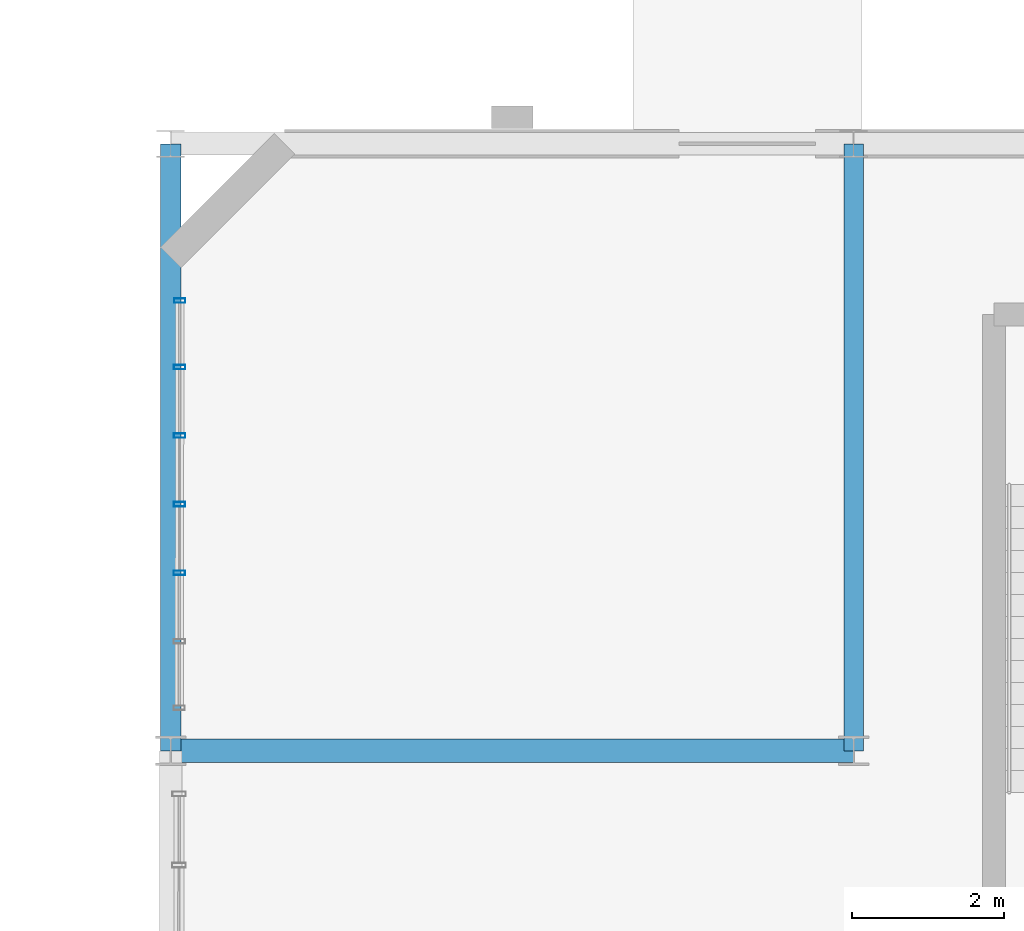
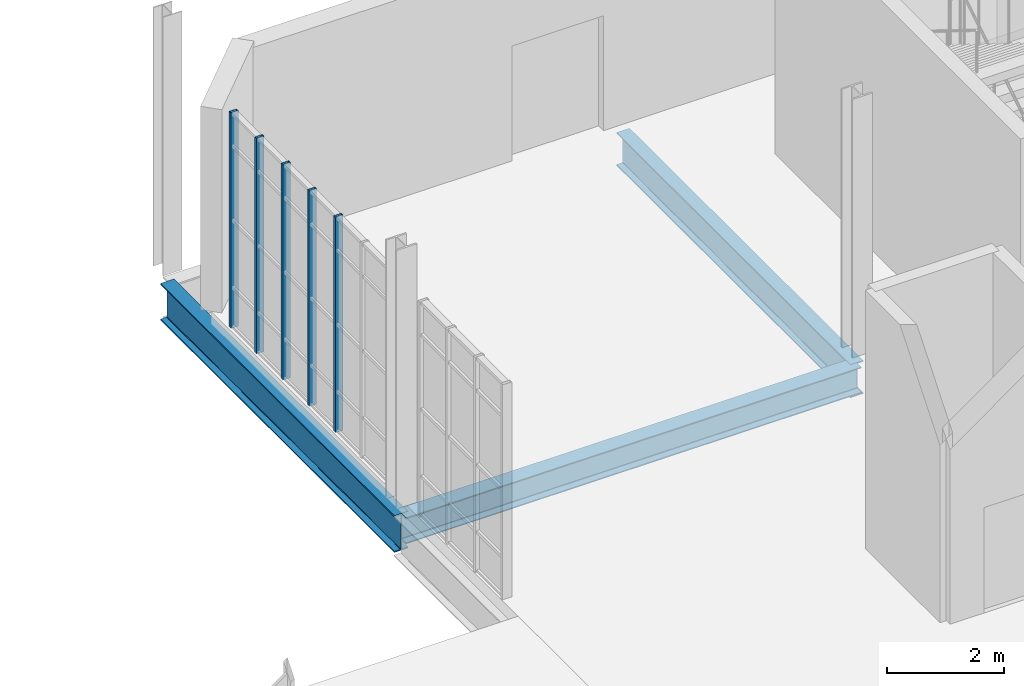
# One storey, part 89 of 189: 5 members, 3 beams, 1 element without a shape of its own.
"""IFC4 building model written with IfcOpenShell, lengths in metres."""

import ifcopenshell
import ifcopenshell.guid

model = None  # the IFC model being written
_history = None  # IfcOwnerHistory: only IFC2X3 demands one
_inside = {}  # id of a spatial element -> (the spatial element, [elements in it])
_under = {}  # id of a project, library or spatial element -> (it, [spatial elements below it])
_declared = {}  # id of a project -> (the project, [libraries it declares])
_typed = {}  # id of a type object -> (the type object, [elements of that type])
_made_of = {}  # id of a material, layer set ... -> (it, [elements and type objects made of it])


def new_model(schema):
    """Start an empty IFC model of exactly this schema.

    Asked for "IFC4X3", IfcOpenShell would pick the latest addendum, in which some entities
    have other attributes; the version numbers below select the first issue.
    IFC2X3 requires an IfcOwnerHistory on every rooted entity: one is made here for all.
    """
    global model, _history
    if schema == "IFC4X3":
        model = ifcopenshell.file(schema_version=(4, 3, 0, 0))
    else:
        model = ifcopenshell.file(schema=schema)
    _inside.clear()
    _under.clear()
    _declared.clear()
    _typed.clear()
    _made_of.clear()
    _history = None
    if model.schema == "IFC2X3":
        org = make("IfcOrganization", Name="unknown")
        user = make(
            "IfcPersonAndOrganization",
            ThePerson=make("IfcPerson", FamilyName="unknown"),
            TheOrganization=org,
        )
        app = make(
            "IfcApplication",
            ApplicationDeveloper=org,
            Version="unknown",
            ApplicationFullName="unknown",
            ApplicationIdentifier="unknown",
        )
        _history = make(
            "IfcOwnerHistory",
            OwningUser=user,
            OwningApplication=app,
            ChangeAction="ADDED",
            CreationDate=0,
        )
    return model


def make(cls, **values):
    """One entity of the class cls with the attributes given. An attribute that is None is left unset."""
    return model.create_entity(
        cls, **{name: value for name, value in values.items() if value is not None}
    )


def rooted(cls, **values):
    """An entity with a GlobalId (a new one), such as an element, a storey or a relation."""
    return make(cls, GlobalId=ifcopenshell.guid.new(), OwnerHistory=_history, **values)


def si_unit(unit_type, name, prefix=None):
    """IfcSIUnit, for example si_unit("LENGTHUNIT", "METRE", prefix="MILLI")."""
    return make("IfcSIUnit", UnitType=unit_type, Prefix=prefix, Name=name)


def assignment(units):
    """IfcUnitAssignment: the units of a project."""
    return None if units is None else make("IfcUnitAssignment", Units=units)


def point(xyz):
    """IfcCartesianPoint."""
    return None if xyz is None else make("IfcCartesianPoint", Coordinates=xyz)


def direction(xyz):
    """IfcDirection."""
    return None if xyz is None else make("IfcDirection", DirectionRatios=xyz)


def frame(location, z_axis=None, x_axis=None):
    """IfcAxis2Placement3D, a coordinate frame: its origin and axes. An axis left out is left unset."""
    return make(
        "IfcAxis2Placement3D",
        Location=point(location),
        Axis=direction(z_axis),
        RefDirection=direction(x_axis),
    )


def frame_2d(location, x_axis=None):
    """IfcAxis2Placement2D, a coordinate frame in the plane: its origin and x axis."""
    return make(
        "IfcAxis2Placement2D", Location=point(location), RefDirection=direction(x_axis)
    )


def origin():
    """The frame at (0, 0, 0) with its axes left unset."""
    return frame((0.0, 0.0, 0.0))


def origin_2d():
    """The frame at (0, 0) in the plane with its x axis left unset."""
    return frame_2d((0.0, 0.0))


def place(relative_to, where):
    """IfcLocalPlacement: puts the frame where relative to a parent placement (None: the world)."""
    return make(
        "IfcLocalPlacement", PlacementRelTo=relative_to, RelativePlacement=where
    )


def context(
    kind, dimensions, precision=None, world=None, true_north=None, identifier=None
):
    """IfcGeometricRepresentationContext, for example the 3D "Model" context."""
    return make(
        "IfcGeometricRepresentationContext",
        ContextIdentifier=identifier,
        ContextType=kind,
        CoordinateSpaceDimension=dimensions,
        Precision=precision,
        WorldCoordinateSystem=world,
        TrueNorth=true_north,
    )


def subcontext(parent, identifier, kind, view, scale=None):
    """IfcGeometricRepresentationSubContext, for example "Body" below "Model"."""
    return make(
        "IfcGeometricRepresentationSubContext",
        ContextIdentifier=identifier,
        ContextType=kind,
        ParentContext=parent,
        TargetScale=scale,
        TargetView=view,
    )


def project(units=None, contexts=None):
    """IfcProject with its units and contexts."""
    return rooted(
        "IfcProject",
        Name="project",
        RepresentationContexts=contexts,
        UnitsInContext=assignment(units),
    )


def spatial(cls, under=None, at=None, **own):
    """A site, building, storey or space (cls), placed at a placement, below another one or the project."""
    s = rooted(cls, ObjectPlacement=at, **own)
    if under is not None:
        _under.setdefault(under.id(), (under, []))[1].append(s)
    return s


def profile(cls, at=None, kind="AREA", **sizes):
    """A parametric profile (cls). Its sizes go by their IFC names, for example OverallWidth=200.0."""
    return make(cls, ProfileType=kind, Position=at, **sizes)


def hollow_rectangle(**sizes):
    """IfcRectangleHollowProfileDef."""
    return profile("IfcRectangleHollowProfileDef", **sizes)


def i_section(**sizes):
    """IfcIShapeProfileDef."""
    return profile("IfcIShapeProfileDef", **sizes)


def extrude(swept, where, along, depth):
    """IfcExtrudedAreaSolid: the profile swept, set in the frame where, extruded along a direction by depth."""
    return make(
        "IfcExtrudedAreaSolid",
        SweptArea=swept,
        Position=where,
        ExtrudedDirection=direction(along),
        Depth=depth,
    )


def shape(context_of_items, identifier, shape_type, items):
    """IfcShapeRepresentation: the items that make up one representation, for example the "Body"."""
    return make(
        "IfcShapeRepresentation",
        ContextOfItems=context_of_items,
        RepresentationIdentifier=identifier,
        RepresentationType=shape_type,
        Items=items,
    )


def material(Name=None, Category=None):
    """IfcMaterial."""
    return make("IfcMaterial", Name=Name, Category=Category)


def layer(
    of_material, thickness, ventilated=None, Name=None, Category=None, Priority=None
):
    """IfcMaterialLayer: one layer of a wall or slab, of a material (None: an air gap)."""
    return make(
        "IfcMaterialLayer",
        Material=of_material,
        LayerThickness=thickness,
        IsVentilated=ventilated,
        Name=Name,
        Category=Category,
        Priority=Priority,
    )


def layer_set(layers, Name=None):
    """IfcMaterialLayerSet."""
    return make("IfcMaterialLayerSet", MaterialLayers=layers, LayerSetName=Name)


def material_profile(
    of_material, cross_section, Name=None, Category=None, Priority=None
):
    """IfcMaterialProfile: a cross section and its material."""
    return make(
        "IfcMaterialProfile",
        Name=Name,
        Material=of_material,
        Profile=cross_section,
        Priority=Priority,
        Category=Category,
    )


def profile_set(profiles, Name=None, composite=None):
    """IfcMaterialProfileSet."""
    return make(
        "IfcMaterialProfileSet",
        Name=Name,
        MaterialProfiles=profiles,
        CompositeProfile=composite,
    )


def made_of(thing, what):
    """Note that an element or type object is made of a material, layer set ...; save() writes the relation."""
    if what is not None:
        _made_of.setdefault(what.id(), (what, []))[1].append(thing)
    return thing


def type_object(cls, material=None, **own):
    """A type object (cls), such as IfcWallType, which elements share."""
    return made_of(rooted(cls, **own), material)


def element(
    cls,
    number,
    at=None,
    inside=None,
    cuts=None,
    type_object=None,
    material=None,
    context=None,
    identifier="Body",
    shape_type=None,
    held_by="IfcProductDefinitionShape",
    body=None,
    shapes=None,
    **own,
):
    """One element of the class cls, such as IfcWall. Its Tag is "e" and its number.

    at: its placement. inside: the storey or other place that contains it. cuts: it is an
    opening in that element (IfcRelVoidsElement). A single representation is given by context,
    identifier, shape_type and body (its items); several are given by shapes. held_by: the class
    of the entity that holds the representations. save() writes the other relations.
    """
    e = rooted(cls, Tag="e%d" % number, ObjectPlacement=at, **own)
    if body is not None:
        shapes = [shape(context, identifier, shape_type, body)]
    if shapes is not None:
        e.Representation = make(held_by, Representations=shapes)
    if inside is not None:
        _inside.setdefault(inside.id(), (inside, []))[1].append(e)
    if cuts is not None:
        rooted(
            "IfcRelVoidsElement", RelatingBuildingElement=cuts, RelatedOpeningElement=e
        )
    if type_object is not None:
        _typed.setdefault(type_object.id(), (type_object, []))[1].append(e)
    return made_of(e, material)


def aggregate(whole, parts):
    """IfcRelAggregates: a whole, such as a stair, and the parts it consists of."""
    return rooted("IfcRelAggregates", RelatingObject=whole, RelatedObjects=parts)


def save(model, path):
    """Write the relations noted so far, then the file.

    IfcRelAggregates (storeys below a building ...), IfcRelContainedInSpatialStructure (elements
    in a storey), IfcRelDefinesByType, IfcRelAssociatesMaterial and IfcRelDeclares: one each for
    every whole, place, type object, material and project.
    """
    for whole, parts in _under.values():
        aggregate(whole, parts)
    for where, things in _inside.values():
        rooted(
            "IfcRelContainedInSpatialStructure",
            RelatedElements=things,
            RelatingStructure=where,
        )
    for kind, things in _typed.values():
        rooted("IfcRelDefinesByType", RelatedObjects=things, RelatingType=kind)
    for what, things in _made_of.values():
        rooted("IfcRelAssociatesMaterial", RelatedObjects=things, RelatingMaterial=what)
    for by, libraries in _declared.values():
        rooted("IfcRelDeclares", RelatingContext=by, RelatedDefinitions=libraries)
    model.write(path)


model = new_model("IFC4")

# Units and contexts
model_context = context("Model", 3, precision=1e-05, world=origin(), true_north=direction((0.0, 1.0)))
body_context = subcontext(model_context, "Body", "Model", "MODEL_VIEW")
ifc_project = project(units=[si_unit("LENGTHUNIT", "METRE"), si_unit("AREAUNIT", "SQUARE_METRE"), si_unit("VOLUMEUNIT", "CUBIC_METRE"), si_unit("PLANEANGLEUNIT", "RADIAN"), si_unit("MASSUNIT", "GRAM", prefix="KILO"), si_unit("THERMODYNAMICTEMPERATUREUNIT", "KELVIN"), si_unit("POWERUNIT", "WATT")], contexts=[model_context])

# Site, building, storey
site_placement = place(None, origin())
site = spatial("IfcSite", under=ifc_project, at=site_placement, CompositionType="ELEMENT")
building_placement = place(site_placement, origin())
building = spatial("IfcBuilding", under=site, at=building_placement, Name="Zelmaris Science Centre", CompositionType="ELEMENT")
storey_placement = place(building_placement, origin())
storey = spatial("IfcBuildingStorey", under=building, at=storey_placement, Name="L00", CompositionType="ELEMENT", Elevation=0.0)

# Curtain wall, members
ifc_material_1 = material(Name="Anodised architectural aluminium 6063-T6", Category="aluminium")
ifc_layer = layer(ifc_material_1, 0.219970703125, Name="Anodised architectural aluminium 6063-T6")
ifc_layer_set = layer_set([ifc_layer], Name="Anodised architectural aluminium 6063-T6")
curtain_wall_type = type_object("IfcCurtainWallType", Name="Curtain Wall CW-04", PredefinedType="USERDEFINED", material=ifc_layer_set)
curtain_wall_placement = place(storey_placement, origin())
curtain_wall = element("IfcCurtainWall", 1, at=curtain_wall_placement, inside=storey, type_object=curtain_wall_type, Name="L00 Unitised curtain wall 28", ObjectType="GLAZED CURTAIN WALL", PredefinedType="USERDEFINED")
ifc_material_profile_1 = material_profile(ifc_material_1, hollow_rectangle(XDim=0.06005859375, YDim=0.14990234375, WallThickness=0.00341796875, at=origin_2d()), Name="ALU-MUL-60X150")
ifc_profile_set_1 = profile_set([ifc_material_profile_1], Name="Anodised architectural aluminium 6063-T6")
member_type = type_object("IfcMemberType", Name="ALU-MUL-60X150", PredefinedType="MULLION", material=ifc_profile_set_1)
member_1_placement = place(storey_placement, frame((54.11474609375, 82.346435546875, -0.014892578125), z_axis=(0.0, 0.0, 1.0), x_axis=(0.001307251237, 0.999999145547, 0.0)))
member_1 = element("IfcMember", 2, at=member_1_placement, type_object=member_type, Name="CW-04 mullion 3", PredefinedType="MULLION", context=body_context, shape_type="SweptSolid", body=[
    extrude(hollow_rectangle(XDim=0.06005859375, YDim=0.14990234375, WallThickness=0.00341796875, at=origin_2d()), origin(), (0.0, 0.0, 1.0), 4.5009765625),
])
member_2_placement = place(storey_placement, frame((54.115966796875, 83.249755859375, -0.014892578125), z_axis=(0.0, 0.0, 1.0), x_axis=(0.001307251237, 0.999999145547, 0.0)))
member_2 = element("IfcMember", 3, at=member_2_placement, type_object=member_type, Name="CW-04 mullion 4", PredefinedType="MULLION", context=body_context, shape_type="SweptSolid", body=[
    extrude(hollow_rectangle(XDim=0.06005859375, YDim=0.14990234375, WallThickness=0.00341796875, at=origin_2d()), origin(), (0.0, 0.0, 1.0), 4.5009765625),
])
member_3_placement = place(storey_placement, frame((54.116943359375, 84.153076171875, -0.014892578125), z_axis=(0.0, 0.0, 1.0), x_axis=(0.001307251237, 0.999999145547, 0.0)))
member_3 = element("IfcMember", 4, at=member_3_placement, type_object=member_type, Name="CW-04 mullion 5", PredefinedType="MULLION", context=body_context, shape_type="SweptSolid", body=[
    extrude(hollow_rectangle(XDim=0.06005859375, YDim=0.14990234375, WallThickness=0.00341796875, at=origin_2d()), origin(), (0.0, 0.0, 1.0), 4.5009765625),
])
member_4_placement = place(storey_placement, frame((54.1181640625, 85.056396484375, -0.014892578125), z_axis=(0.0, 0.0, 1.0), x_axis=(0.001307251237, 0.999999145547, 0.0)))
member_4 = element("IfcMember", 5, at=member_4_placement, type_object=member_type, Name="CW-04 mullion 6", PredefinedType="MULLION", context=body_context, shape_type="SweptSolid", body=[
    extrude(hollow_rectangle(XDim=0.06005859375, YDim=0.14990234375, WallThickness=0.00341796875, at=origin_2d()), origin(), (0.0, 0.0, 1.0), 4.5009765625),
])
member_5_placement = place(storey_placement, frame((54.119384765625, 85.933837890625, -0.014892578125), z_axis=(0.0, 0.0, 1.0), x_axis=(0.001307251237, 0.999999145547, 0.0)))
member_5 = element("IfcMember", 6, at=member_5_placement, type_object=member_type, Name="CW-04 mullion 7", PredefinedType="MULLION", context=body_context, shape_type="SweptSolid", body=[
    extrude(hollow_rectangle(XDim=0.06005859375, YDim=0.14990234375, WallThickness=0.00341796875, at=origin_2d()), origin(), (0.0, 0.0, 1.0), 4.5009765625),
])
aggregate(curtain_wall, [member_1, member_2, member_3, member_4, member_5])

# Beams
ifc_material_2 = material(Name="Steel ASTM A992 Grade 50", Category="steel")
ifc_material_profile_2 = material_profile(ifc_material_2, i_section(OverallWidth=0.26708984375, OverallDepth=0.77001953125, WebThickness=0.015625, FlangeThickness=0.025390625, FilletRadius=0.01904296875, at=origin_2d()), Name="W30X132")
ifc_profile_set_2 = profile_set([ifc_material_profile_2], Name="Steel ASTM A992 Grade 50")
beam_type_1 = type_object("IfcBeamType", Name="Beam G-09 W30X132", PredefinedType="BEAM", material=ifc_profile_set_2)
beam_1_placement = place(storey_placement, frame((54.0, 80.0, -0.6650390625), z_axis=(0.0, 1.0, 0.0), x_axis=(-1.0, 0.0, 0.0)))
element("IfcBeam", 7, at=beam_1_placement, inside=storey, type_object=beam_type_1, Name="L00 North-south girder 35", PredefinedType="BEAM", context=body_context, shape_type="SweptSolid", body=[
    extrude(i_section(OverallWidth=0.26708984375, OverallDepth=0.77001953125, WebThickness=0.015625, FlangeThickness=0.025390625, FilletRadius=0.01904296875, at=origin_2d()), origin(), (0.0, 0.0, 1.0), 8.0),
])
ifc_material_profile_3 = material_profile(ifc_material_2, i_section(OverallWidth=0.257080078125, OverallDepth=0.693115234375, WebThickness=0.014404296875, FlangeThickness=0.023681640625, FilletRadius=0.01806640625, at=origin_2d()), Name="W27X114")
ifc_profile_set_3 = profile_set([ifc_material_profile_3], Name="Steel ASTM A992 Grade 50")
beam_type_2 = type_object("IfcBeamType", Name="Beam G-12 W27X114", PredefinedType="BEAM", material=ifc_profile_set_3)
beam_2_placement = place(storey_placement, frame((63.0, 80.0, -0.62646484375), z_axis=(0.0, 1.0, 0.0), x_axis=(-1.0, 0.0, 0.0)))
element("IfcBeam", 8, at=beam_2_placement, inside=storey, type_object=beam_type_2, Name="L00 North-south girder 37", PredefinedType="BEAM", context=body_context, shape_type="SweptSolid", body=[
    extrude(i_section(OverallWidth=0.257080078125, OverallDepth=0.693115234375, WebThickness=0.014404296875, FlangeThickness=0.023681640625, FilletRadius=0.01806640625, at=origin_2d()), origin(), (0.0, 0.0, 1.0), 8.0),
])
ifc_material_profile_4 = material_profile(ifc_material_2, i_section(OverallWidth=0.31201171875, OverallDepth=0.5439453125, WebThickness=0.0126953125, FlangeThickness=0.020263671875, FilletRadius=0.013916015625, at=origin_2d()), Name="W21X101")
ifc_profile_set_4 = profile_set([ifc_material_profile_4], Name="Steel ASTM A992 Grade 50")
beam_type_3 = type_object("IfcBeamType", Name="Beam G-18 W21X101", PredefinedType="BEAM", material=ifc_profile_set_4)
beam_3_placement = place(storey_placement, frame((54.0, 80.0, -0.552001953125), z_axis=(1.0, 0.0, 0.0), x_axis=(0.0, 1.0, 0.0)))
element("IfcBeam", 9, at=beam_3_placement, inside=storey, type_object=beam_type_3, Name="L00 East-west girder 166", PredefinedType="BEAM", context=body_context, shape_type="SweptSolid", body=[
    extrude(i_section(OverallWidth=0.31201171875, OverallDepth=0.5439453125, WebThickness=0.0126953125, FlangeThickness=0.020263671875, FilletRadius=0.013916015625, at=origin_2d()), origin(), (0.0, 0.0, 1.0), 9.0),
])

save(model, "model.ifc")
